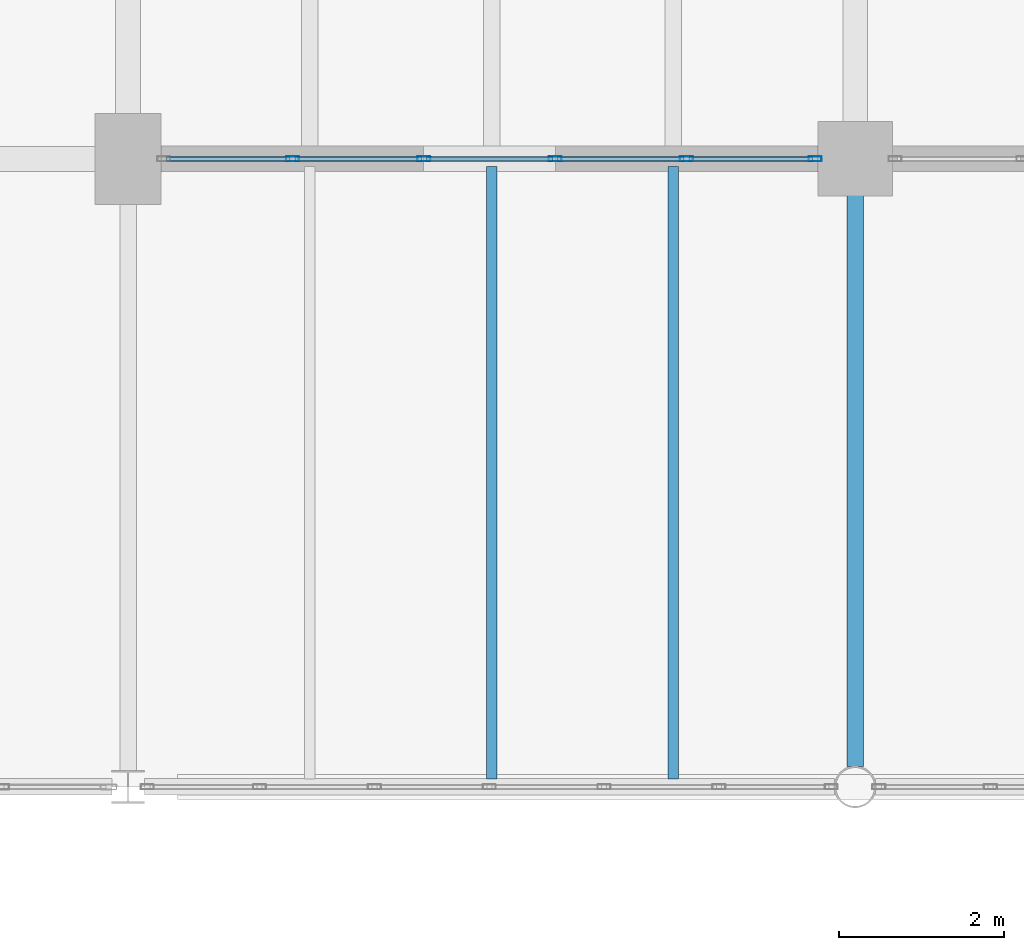
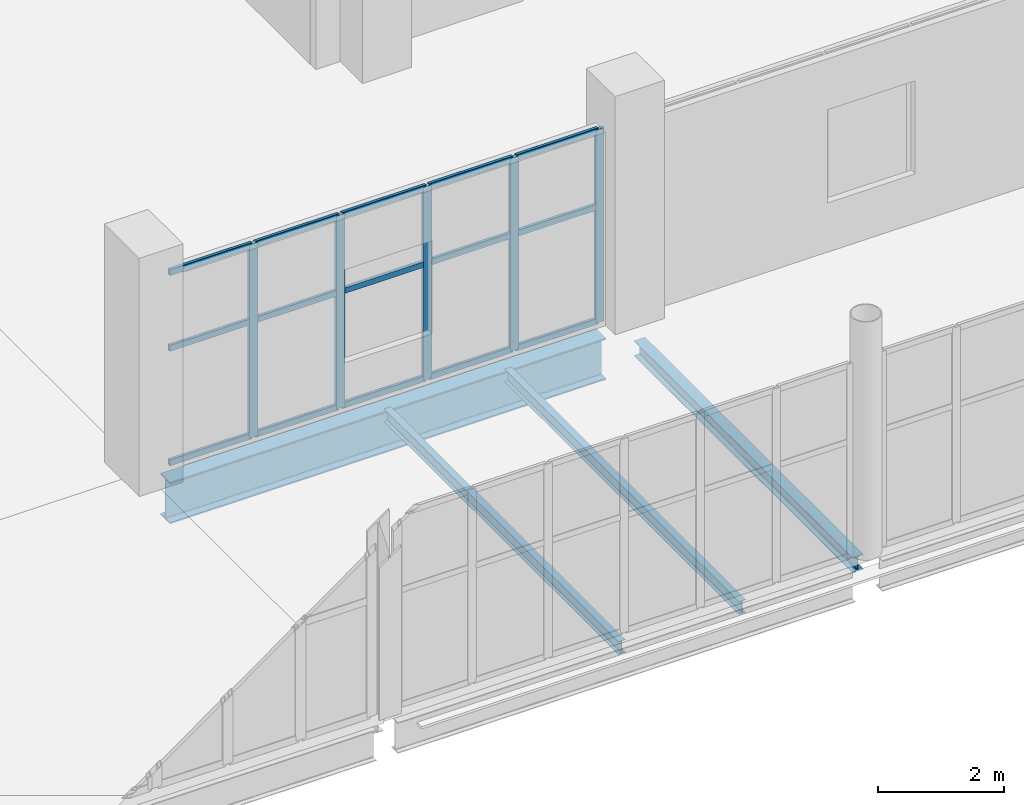
# One storey, part 83 of 172: 20 members, 4 beams, 1 element without a shape of its own.
"""IFC4 building model written with IfcOpenShell, lengths in metres."""

from ifc_helpers import new_model, si_unit, direction, frame, origin, origin_2d, place, context, subcontext, project, spatial, hollow_rectangle, i_section, extrude, material, material_profile, profile_set, type_object, element, aggregate, save


model = new_model("IFC4")

# Units and contexts
model_context = context("Model", 3, precision=1e-05, world=origin(), true_north=direction((0.0, 1.0)))
body_context = subcontext(model_context, "Body", "Model", "MODEL_VIEW")
ifc_project = project(units=[si_unit("LENGTHUNIT", "METRE"), si_unit("AREAUNIT", "SQUARE_METRE"), si_unit("VOLUMEUNIT", "CUBIC_METRE"), si_unit("PLANEANGLEUNIT", "RADIAN"), si_unit("MASSUNIT", "GRAM", prefix="KILO")], contexts=[model_context])

# Site, building, storey
site_placement = place(None, origin())
site = spatial("IfcSite", under=ifc_project, at=site_placement, CompositionType="ELEMENT")
building_placement = place(site_placement, origin())
building = spatial("IfcBuilding", under=site, at=building_placement, Name="Shengluoqiao Park Theatre", CompositionType="ELEMENT")
storey_placement = place(building_placement, frame((0.0, 0.0, 5.39990234375)))
storey = spatial("IfcBuildingStorey", under=building, at=storey_placement, Name="L01", CompositionType="ELEMENT", Elevation=5.39990234375)

# Curtain wall, members
ifc_material_1 = material(Name="Aluminium 6063-T6", Category="aluminium")
curtain_wall_type = type_object("IfcCurtainWallType", Name="ENV-CW-BRIDGE", PredefinedType="NOTDEFINED", material=ifc_material_1)
curtain_wall_placement = place(storey_placement, origin())
curtain_wall = element("IfcCurtainWall", 1, at=curtain_wall_placement, inside=storey, type_object=curtain_wall_type, Name="L01 Curtain Wall CWX-L01-0099", PredefinedType="NOTDEFINED")
ifc_material_profile_1 = material_profile(ifc_material_1, hollow_rectangle(XDim=0.06005859375, YDim=0.159912109375, WallThickness=0.00390625, InnerFilletRadius=0.00390625, OuterFilletRadius=0.008056640625, at=origin_2d()), Name="ALU MULLION 160x60x4")
ifc_profile_set_1 = profile_set([ifc_material_profile_1], Name="Aluminium 6063-T6")
member_type_1 = type_object("IfcMemberType", Name="ENV-MUL-160", PredefinedType="MULLION", material=ifc_profile_set_1)
member_1_placement = place(storey_placement, frame((88.392333984375, 76.0, 0.0), z_axis=(0.0, 0.0, 1.0), x_axis=(0.0, 1.0, 0.0)))
member_1 = element("IfcMember", 2, at=member_1_placement, type_object=member_type_1, Name="CW-03 mullion 2", PredefinedType="MULLION", context=body_context, shape_type="SweptSolid", body=[
    extrude(hollow_rectangle(XDim=0.06005859375, YDim=0.159912109375, WallThickness=0.00390625, InnerFilletRadius=0.00390625, OuterFilletRadius=0.008056640625, at=origin_2d()), origin(), (0.0, 0.0, 1.0), 3.732177734375),
])
member_2_placement = place(storey_placement, frame((89.980712890625, 76.0, 0.0), z_axis=(0.0, 0.0, 1.0), x_axis=(0.0, 1.0, 0.0)))
member_2 = element("IfcMember", 3, at=member_2_placement, type_object=member_type_1, Name="CW-03 mullion 3", PredefinedType="MULLION", context=body_context, shape_type="SweptSolid", body=[
    extrude(hollow_rectangle(XDim=0.06005859375, YDim=0.159912109375, WallThickness=0.00390625, InnerFilletRadius=0.00390625, OuterFilletRadius=0.008056640625, at=origin_2d()), origin(), (0.0, 0.0, 1.0), 3.732177734375),
])
member_3_placement = place(storey_placement, frame((91.569091796875, 76.0, 0.0), z_axis=(0.0, 0.0, 1.0), x_axis=(0.0, 1.0, 0.0)))
member_3 = element("IfcMember", 4, at=member_3_placement, type_object=member_type_1, Name="CW-03 mullion 4", PredefinedType="MULLION", context=body_context, shape_type="SweptSolid", body=[
    extrude(hollow_rectangle(XDim=0.06005859375, YDim=0.159912109375, WallThickness=0.00390625, InnerFilletRadius=0.00390625, OuterFilletRadius=0.008056640625, at=origin_2d()), origin(), (0.0, 0.0, 1.0), 3.732177734375),
])
member_4_placement = place(storey_placement, frame((93.15771484375, 76.0, 0.0), z_axis=(0.0, 0.0, 1.0), x_axis=(0.0, 1.0, 0.0)))
member_4 = element("IfcMember", 5, at=member_4_placement, type_object=member_type_1, Name="CW-03 mullion 5", PredefinedType="MULLION", context=body_context, shape_type="SweptSolid", body=[
    extrude(hollow_rectangle(XDim=0.06005859375, YDim=0.159912109375, WallThickness=0.00390625, InnerFilletRadius=0.00390625, OuterFilletRadius=0.008056640625, at=origin_2d()), origin(), (0.0, 0.0, 1.0), 3.732177734375),
])
member_5_placement = place(storey_placement, frame((94.716064453125, 76.0, 0.0), z_axis=(0.0, 0.0, 1.0), x_axis=(0.0, 1.0, 0.0)))
member_5 = element("IfcMember", 6, at=member_5_placement, type_object=member_type_1, Name="CW-03 mullion 6", PredefinedType="MULLION", context=body_context, shape_type="SweptSolid", body=[
    extrude(hollow_rectangle(XDim=0.06005859375, YDim=0.159912109375, WallThickness=0.00390625, InnerFilletRadius=0.00390625, OuterFilletRadius=0.008056640625, at=origin_2d()), origin(), (0.0, 0.0, 1.0), 3.732177734375),
])
ifc_material_profile_2 = material_profile(ifc_material_1, hollow_rectangle(XDim=0.06005859375, YDim=0.1201171875, WallThickness=0.00390625, InnerFilletRadius=0.00390625, OuterFilletRadius=0.008056640625, at=origin_2d()), Name="ALU TRANSOM 120x60x4")
ifc_profile_set_2 = profile_set([ifc_material_profile_2], Name="Aluminium 6063-T6")
member_type_2 = type_object("IfcMemberType", Name="ENV-TRN-120", PredefinedType="USERDEFINED", material=ifc_profile_set_2)
member_6_placement = place(storey_placement, frame((86.864013671875, 76.0, 0.030029296875), z_axis=(1.0, 0.0, 0.0), x_axis=(0.0, 1.0, 0.0)))
member_6 = element("IfcMember", 7, at=member_6_placement, type_object=member_type_2, Name="CW-03 transom 1.1", ObjectType="TRANSOM", PredefinedType="USERDEFINED", context=body_context, shape_type="SweptSolid", body=[
    extrude(hollow_rectangle(XDim=0.06005859375, YDim=0.1201171875, WallThickness=0.00390625, InnerFilletRadius=0.00390625, OuterFilletRadius=0.008056640625, at=origin_2d()), origin(), (0.0, 0.0, 1.0), 1.498291015625),
])
member_7_placement = place(storey_placement, frame((86.864013671875, 76.0, 2.239013671875), z_axis=(1.0, 0.0, 0.0), x_axis=(0.0, 1.0, 0.0)))
member_7 = element("IfcMember", 8, at=member_7_placement, type_object=member_type_2, Name="CW-03 transom 1.2", ObjectType="TRANSOM", PredefinedType="USERDEFINED", context=body_context, shape_type="SweptSolid", body=[
    extrude(hollow_rectangle(XDim=0.06005859375, YDim=0.1201171875, WallThickness=0.00390625, InnerFilletRadius=0.00390625, OuterFilletRadius=0.008056640625, at=origin_2d()), origin(), (0.0, 0.0, 1.0), 1.498291015625),
])
member_8_placement = place(storey_placement, frame((86.864013671875, 76.0, 3.7021484375), z_axis=(1.0, 0.0, 0.0), x_axis=(0.0, 1.0, 0.0)))
member_8 = element("IfcMember", 9, at=member_8_placement, type_object=member_type_2, Name="CW-03 transom 1.3", ObjectType="TRANSOM", PredefinedType="USERDEFINED", context=body_context, shape_type="SweptSolid", body=[
    extrude(hollow_rectangle(XDim=0.06005859375, YDim=0.1201171875, WallThickness=0.00390625, InnerFilletRadius=0.00390625, OuterFilletRadius=0.008056640625, at=origin_2d()), origin(), (0.0, 0.0, 1.0), 1.498291015625),
])
member_9_placement = place(storey_placement, frame((88.42236328125, 76.0, 0.030029296875), z_axis=(1.0, 0.0, 0.0), x_axis=(0.0, 1.0, 0.0)))
member_9 = element("IfcMember", 10, at=member_9_placement, type_object=member_type_2, Name="CW-03 transom 2.1", ObjectType="TRANSOM", PredefinedType="USERDEFINED", context=body_context, shape_type="SweptSolid", body=[
    extrude(hollow_rectangle(XDim=0.06005859375, YDim=0.1201171875, WallThickness=0.00390625, InnerFilletRadius=0.00390625, OuterFilletRadius=0.008056640625, at=origin_2d()), origin(), (0.0, 0.0, 1.0), 1.5283203125),
])
member_10_placement = place(storey_placement, frame((88.42236328125, 76.0, 2.239013671875), z_axis=(1.0, 0.0, 0.0), x_axis=(0.0, 1.0, 0.0)))
member_10 = element("IfcMember", 11, at=member_10_placement, type_object=member_type_2, Name="CW-03 transom 2.2", ObjectType="TRANSOM", PredefinedType="USERDEFINED", context=body_context, shape_type="SweptSolid", body=[
    extrude(hollow_rectangle(XDim=0.06005859375, YDim=0.1201171875, WallThickness=0.00390625, InnerFilletRadius=0.00390625, OuterFilletRadius=0.008056640625, at=origin_2d()), origin(), (0.0, 0.0, 1.0), 1.5283203125),
])
member_11_placement = place(storey_placement, frame((88.42236328125, 76.0, 3.7021484375), z_axis=(1.0, 0.0, 0.0), x_axis=(0.0, 1.0, 0.0)))
member_11 = element("IfcMember", 12, at=member_11_placement, type_object=member_type_2, Name="CW-03 transom 2.3", ObjectType="TRANSOM", PredefinedType="USERDEFINED", context=body_context, shape_type="SweptSolid", body=[
    extrude(hollow_rectangle(XDim=0.06005859375, YDim=0.1201171875, WallThickness=0.00390625, InnerFilletRadius=0.00390625, OuterFilletRadius=0.008056640625, at=origin_2d()), origin(), (0.0, 0.0, 1.0), 1.5283203125),
])
member_12_placement = place(storey_placement, frame((90.0107421875, 76.0, 0.030029296875), z_axis=(1.0, 0.0, 0.0), x_axis=(0.0, 1.0, 0.0)))
member_12 = element("IfcMember", 13, at=member_12_placement, type_object=member_type_2, Name="CW-03 transom 3.1", ObjectType="TRANSOM", PredefinedType="USERDEFINED", context=body_context, shape_type="SweptSolid", body=[
    extrude(hollow_rectangle(XDim=0.06005859375, YDim=0.1201171875, WallThickness=0.00390625, InnerFilletRadius=0.00390625, OuterFilletRadius=0.008056640625, at=origin_2d()), origin(), (0.0, 0.0, 1.0), 1.528564453125),
])
member_13_placement = place(storey_placement, frame((90.0107421875, 76.0, 2.239013671875), z_axis=(1.0, 0.0, 0.0), x_axis=(0.0, 1.0, 0.0)))
member_13 = element("IfcMember", 14, at=member_13_placement, type_object=member_type_2, Name="CW-03 transom 3.2", ObjectType="TRANSOM", PredefinedType="USERDEFINED", context=body_context, shape_type="SweptSolid", body=[
    extrude(hollow_rectangle(XDim=0.06005859375, YDim=0.1201171875, WallThickness=0.00390625, InnerFilletRadius=0.00390625, OuterFilletRadius=0.008056640625, at=origin_2d()), origin(), (0.0, 0.0, 1.0), 1.528564453125),
])
member_14_placement = place(storey_placement, frame((90.0107421875, 76.0, 3.7021484375), z_axis=(1.0, 0.0, 0.0), x_axis=(0.0, 1.0, 0.0)))
member_14 = element("IfcMember", 15, at=member_14_placement, type_object=member_type_2, Name="CW-03 transom 3.3", ObjectType="TRANSOM", PredefinedType="USERDEFINED", context=body_context, shape_type="SweptSolid", body=[
    extrude(hollow_rectangle(XDim=0.06005859375, YDim=0.1201171875, WallThickness=0.00390625, InnerFilletRadius=0.00390625, OuterFilletRadius=0.008056640625, at=origin_2d()), origin(), (0.0, 0.0, 1.0), 1.528564453125),
])
member_15_placement = place(storey_placement, frame((91.59912109375, 76.0, 0.030029296875), z_axis=(1.0, 0.0, 0.0), x_axis=(0.0, 1.0, 0.0)))
member_15 = element("IfcMember", 16, at=member_15_placement, type_object=member_type_2, Name="CW-03 transom 4.1", ObjectType="TRANSOM", PredefinedType="USERDEFINED", context=body_context, shape_type="SweptSolid", body=[
    extrude(hollow_rectangle(XDim=0.06005859375, YDim=0.1201171875, WallThickness=0.00390625, InnerFilletRadius=0.00390625, OuterFilletRadius=0.008056640625, at=origin_2d()), origin(), (0.0, 0.0, 1.0), 1.528564453125),
])
member_16_placement = place(storey_placement, frame((91.59912109375, 76.0, 2.239013671875), z_axis=(1.0, 0.0, 0.0), x_axis=(0.0, 1.0, 0.0)))
member_16 = element("IfcMember", 17, at=member_16_placement, type_object=member_type_2, Name="CW-03 transom 4.2", ObjectType="TRANSOM", PredefinedType="USERDEFINED", context=body_context, shape_type="SweptSolid", body=[
    extrude(hollow_rectangle(XDim=0.06005859375, YDim=0.1201171875, WallThickness=0.00390625, InnerFilletRadius=0.00390625, OuterFilletRadius=0.008056640625, at=origin_2d()), origin(), (0.0, 0.0, 1.0), 1.528564453125),
])
member_17_placement = place(storey_placement, frame((91.59912109375, 76.0, 3.7021484375), z_axis=(1.0, 0.0, 0.0), x_axis=(0.0, 1.0, 0.0)))
member_17 = element("IfcMember", 18, at=member_17_placement, type_object=member_type_2, Name="CW-03 transom 4.3", ObjectType="TRANSOM", PredefinedType="USERDEFINED", context=body_context, shape_type="SweptSolid", body=[
    extrude(hollow_rectangle(XDim=0.06005859375, YDim=0.1201171875, WallThickness=0.00390625, InnerFilletRadius=0.00390625, OuterFilletRadius=0.008056640625, at=origin_2d()), origin(), (0.0, 0.0, 1.0), 1.528564453125),
])
member_18_placement = place(storey_placement, frame((93.1875, 76.0, 0.030029296875), z_axis=(1.0, 0.0, 0.0), x_axis=(0.0, 1.0, 0.0)))
member_18 = element("IfcMember", 19, at=member_18_placement, type_object=member_type_2, Name="CW-03 transom 5.1", ObjectType="TRANSOM", PredefinedType="USERDEFINED", context=body_context, shape_type="SweptSolid", body=[
    extrude(hollow_rectangle(XDim=0.06005859375, YDim=0.1201171875, WallThickness=0.00390625, InnerFilletRadius=0.00390625, OuterFilletRadius=0.008056640625, at=origin_2d()), origin(), (0.0, 0.0, 1.0), 1.49853515625),
])
member_19_placement = place(storey_placement, frame((93.1875, 76.0, 2.239013671875), z_axis=(1.0, 0.0, 0.0), x_axis=(0.0, 1.0, 0.0)))
member_19 = element("IfcMember", 20, at=member_19_placement, type_object=member_type_2, Name="CW-03 transom 5.2", ObjectType="TRANSOM", PredefinedType="USERDEFINED", context=body_context, shape_type="SweptSolid", body=[
    extrude(hollow_rectangle(XDim=0.06005859375, YDim=0.1201171875, WallThickness=0.00390625, InnerFilletRadius=0.00390625, OuterFilletRadius=0.008056640625, at=origin_2d()), origin(), (0.0, 0.0, 1.0), 1.49853515625),
])
member_20_placement = place(storey_placement, frame((93.1875, 76.0, 3.7021484375), z_axis=(1.0, 0.0, 0.0), x_axis=(0.0, 1.0, 0.0)))
member_20 = element("IfcMember", 21, at=member_20_placement, type_object=member_type_2, Name="CW-03 transom 5.3", ObjectType="TRANSOM", PredefinedType="USERDEFINED", context=body_context, shape_type="SweptSolid", body=[
    extrude(hollow_rectangle(XDim=0.06005859375, YDim=0.1201171875, WallThickness=0.00390625, InnerFilletRadius=0.00390625, OuterFilletRadius=0.008056640625, at=origin_2d()), origin(), (0.0, 0.0, 1.0), 1.49853515625),
])
aggregate(curtain_wall, [member_1, member_2, member_3, member_4, member_5, member_6, member_7, member_8, member_9, member_10, member_11, member_12, member_13, member_14, member_15, member_16, member_17, member_18, member_19, member_20])

# Beams
ifc_material_2 = material(Name="Steel Q355", Category="steel")
ifc_material_profile_3 = material_profile(ifc_material_2, i_section(OverallWidth=0.199951171875, OverallDepth=0.2939453125, WebThickness=0.008056640625, FlangeThickness=0.011962890625, FilletRadius=0.01611328125, at=origin_2d()), Name="HM 294x200x8x12")
ifc_profile_set_3 = profile_set([ifc_material_profile_3], Name="Steel Q355")
beam_type_1 = type_object("IfcBeamType", Name="STR-BM-G-HM294", PredefinedType="BEAM", material=ifc_profile_set_3)
beam_1_placement = place(storey_placement, frame((95.199951171875, 68.64794921875, -0.386962890625), z_axis=(0.0, 1.0, 0.0), x_axis=(-1.0, 0.0, 0.0)))
element("IfcBeam", 22, at=beam_1_placement, inside=storey, type_object=beam_type_1, Name="L01 Transverse Girder 00529", PredefinedType="BEAM", context=body_context, shape_type="SweptSolid", body=[
    extrude(i_section(OverallWidth=0.199951171875, OverallDepth=0.2939453125, WebThickness=0.008056640625, FlangeThickness=0.011962890625, FilletRadius=0.01611328125, at=origin_2d()), origin(), (0.0, 0.0, 1.0), 6.907958984375),
])
ifc_material_3 = material(Name="Steel Q390", Category="steel")
ifc_material_profile_4 = material_profile(ifc_material_3, i_section(OverallWidth=0.300048828125, OverallDepth=0.800048828125, WebThickness=0.013916015625, FlangeThickness=0.02587890625, FilletRadius=0.02587890625, at=origin_2d()), Name="HN 800x300x14x26")
ifc_profile_set_4 = profile_set([ifc_material_profile_4], Name="Steel Q390")
beam_type_2 = type_object("IfcBeamType", Name="STR-BM-G-HN800", PredefinedType="BEAM", material=ifc_profile_set_4)
beam_2_placement = place(storey_placement, frame((86.7939453125, 76.0, -0.64990234375), z_axis=(1.0, 0.0, 0.0), x_axis=(0.0, 1.0, 0.0)))
element("IfcBeam", 23, at=beam_2_placement, inside=storey, type_object=beam_type_2, Name="L01 Primary Girder 00322", PredefinedType="BEAM", context=body_context, shape_type="SweptSolid", body=[
    extrude(i_section(OverallWidth=0.300048828125, OverallDepth=0.800048828125, WebThickness=0.013916015625, FlangeThickness=0.02587890625, FilletRadius=0.02587890625, at=origin_2d()), origin(), (0.0, 0.0, 1.0), 7.962158203125),
])
ifc_material_profile_5 = material_profile(ifc_material_2, i_section(OverallWidth=0.125, OverallDepth=0.25, WebThickness=0.006103515625, FlangeThickness=0.009033203125, FilletRadius=0.010009765625, at=origin_2d()), Name="HN 250x125x6x9")
ifc_profile_set_5 = profile_set([ifc_material_profile_5], Name="Steel Q355")
beam_type_3 = type_object("IfcBeamType", Name="STR-BM-J-HN250", PredefinedType="JOIST", material=ifc_profile_set_5)
for number, where, z_axis, x_axis, name in (
    (24, (90.800048828125, 68.494384765625, -0.364990234375), (0.0, 1.0, 0.0), (-1.0, 0.0, 0.0), "L01 Composite Joist 00538"),
    (25, (93.0, 68.494384765625, -0.364990234375), (0.0, 1.0, 0.0), (-1.0, 0.0, 0.0), "L01 Composite Joist 00539"),
):
    element("IfcBeam", number, at=place(storey_placement, frame(where, z_axis=z_axis, x_axis=x_axis)), inside=storey, type_object=beam_type_3, Name=name, PredefinedType="JOIST", context=body_context, shape_type="SweptSolid", body=[
        extrude(i_section(OverallWidth=0.125, OverallDepth=0.25, WebThickness=0.006103515625, FlangeThickness=0.009033203125, FilletRadius=0.010009765625, at=origin_2d()), origin(), (0.0, 0.0, 1.0), 7.4111328125),
    ])

save(model, "model.ifc")
